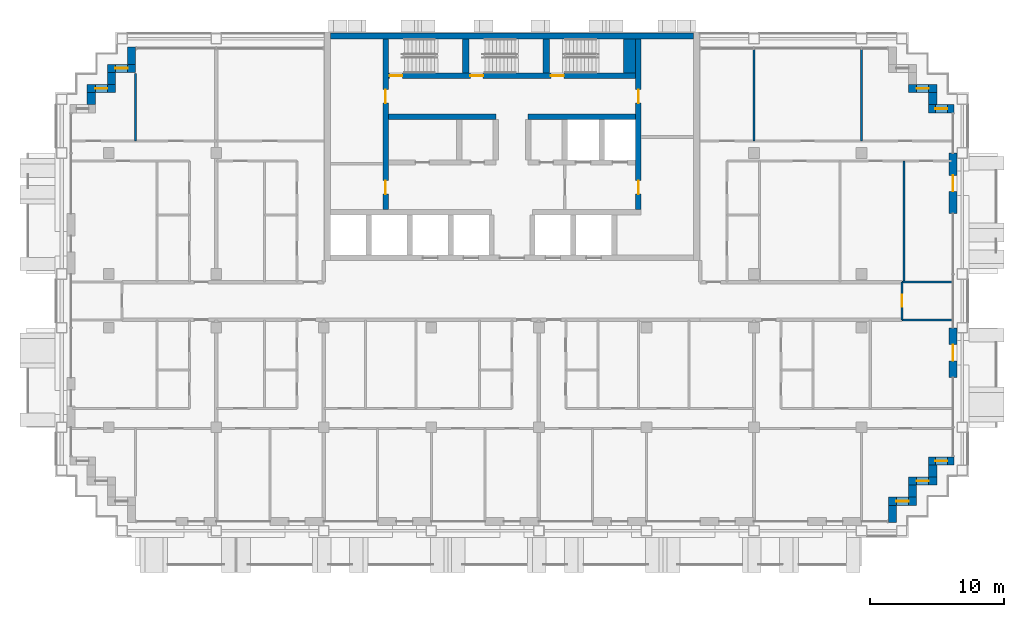
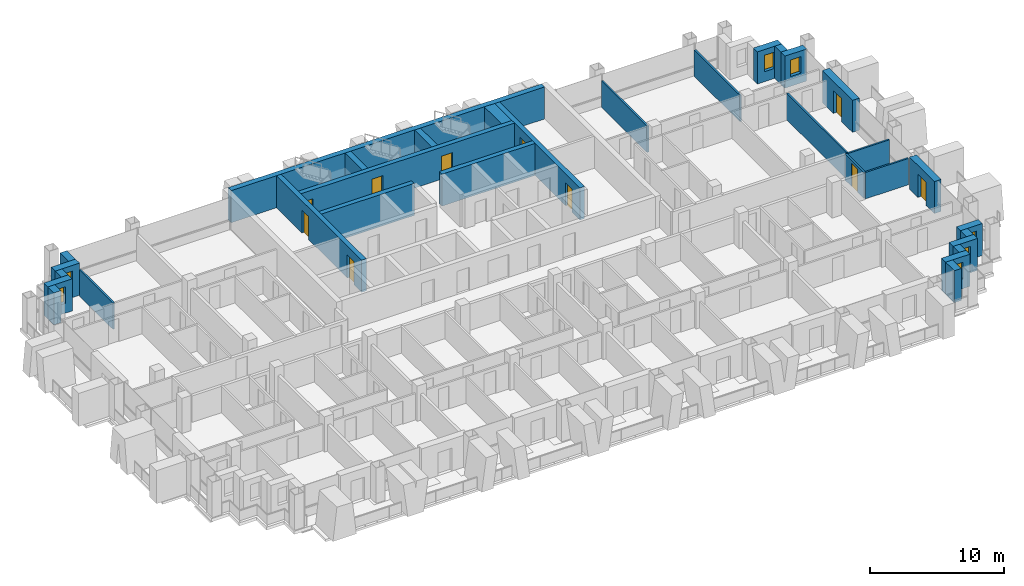
# One storey, part 12 of 18: 32 walls, 10 doors, 7 windows, 17 openings.
"""IFC4 building model written with IfcOpenShell, lengths in metres."""

from ifc_helpers import new_model, si_unit, direction, frame, frame_2d, origin, place, context, subcontext, project, spatial, rectangle, extrude, material, layer, layer_set, type_object, element, fill, save


model = new_model("IFC4")

# Units and contexts
model_context = context("Model", 3, precision=1e-05, world=origin(), true_north=direction((0.0, 1.0)))
body_context = subcontext(model_context, "Body", "Model", "MODEL_VIEW")
ifc_project = project(units=[si_unit("LENGTHUNIT", "METRE"), si_unit("AREAUNIT", "SQUARE_METRE"), si_unit("VOLUMEUNIT", "CUBIC_METRE"), si_unit("PLANEANGLEUNIT", "RADIAN"), si_unit("MASSUNIT", "GRAM", prefix="KILO")], contexts=[model_context])

# Site, building, storey
site_placement = place(None, origin())
site = spatial("IfcSite", under=ifc_project, at=site_placement, CompositionType="ELEMENT")
building_placement = place(site_placement, origin())
building = spatial("IfcBuilding", under=site, at=building_placement, Name="Vidyagriha Tower", CompositionType="ELEMENT")
storey_placement = place(building_placement, frame((0.0, 0.0, 123.0)))
storey = spatial("IfcBuildingStorey", under=building, at=storey_placement, Name="L31", CompositionType="ELEMENT", Elevation=123.0)

# Wall, opening, window
ifc_material_1 = material(Name="Precast concrete C40/50 with brick facing", Category="concrete")
ifc_layer_1 = layer(ifc_material_1, 0.60009765625)
ifc_layer_set_1 = layer_set([ifc_layer_1], Name="Precast concrete C40/50 with brick facing")
wall_type_1 = type_object("IfcWallType", Name="Brick-faced precast wall 600", PredefinedType="STANDARD", material=ifc_layer_set_1)
wall_1_placement = place(storey_placement, frame((32.8798828125, 14.300048828125, 0.0), z_axis=(0.0, 0.0, 1.0), x_axis=(-1.0, 0.0, 0.0)))
wall_1 = element("IfcWall", 1, at=wall_1_placement, inside=storey, type_object=wall_type_1, Name="Stepped corner wall L31 R01", PredefinedType="STANDARD", context=body_context, shape_type="SweptSolid", body=[
    extrude(rectangle(XDim=1.8798828125, YDim=0.60009765625, at=frame_2d((0.93994140625, 0.0))), origin(), (0.0, 0.0, 1.0), 2.919921875),
])
opening_1_placement = place(wall_1_placement, frame((0.489990234375, 0.0, 0.89990234375)))
opening_1 = element("IfcOpeningElement", 2, at=opening_1_placement, cuts=wall_1, Name="Opening WN1", PredefinedType="OPENING", context=body_context, shape_type="SweptSolid", body=[
    extrude(rectangle(XDim=0.89990234375, YDim=1.5, at=frame_2d((0.449951171875, 0.75))), frame((0.0, 0.31005859375, 0.0), z_axis=(0.0, -1.0, 0.0), x_axis=(1.0, 0.0, 0.0)), (0.0, 0.0, 1.0), 0.6201171875),
])
ifc_material_2 = material(Name="Aluminium and glass window", Category="aluminium")
window_type = type_object("IfcWindowType", Name="Reveal window 900x1500", PartitioningType="NOTDEFINED", PredefinedType="WINDOW", material=ifc_material_2)
window_1_placement = place(opening_1_placement, origin())
window_1 = element("IfcWindow", 3, at=window_1_placement, inside=storey, type_object=window_type, Name="Reveal window L31 R01", OverallHeight=1.5, OverallWidth=0.89990234375, PartitioningType="SINGLE_PANEL", PredefinedType="WINDOW", context=body_context, shape_type="SweptSolid", body=[
    extrude(rectangle(XDim=0.89990234375, YDim=1.5, at=frame_2d((0.449951171875, 0.75))), frame((0.0, 0.030029296875, 0.0), z_axis=(0.0, -1.0, 0.0), x_axis=(1.0, 0.0, 0.0)), (0.0, 0.0, 1.0), 0.06005859375),
])
fill(opening_1, window_1)

# Wall
wall_2_placement = place(storey_placement, frame((31.300048828125, 14.60009765625, 0.0), z_axis=(0.0, 0.0, 1.0), x_axis=(0.0, 1.0, 0.0)))
element("IfcWall", 4, at=wall_2_placement, inside=storey, type_object=wall_type_1, Name="Stepped corner wall L31 R02", PredefinedType="STANDARD", context=body_context, shape_type="SweptSolid", body=[
    extrude(rectangle(XDim=0.89990234375, YDim=0.60009765625, at=frame_2d((0.449951171875, 0.0))), origin(), (0.0, 0.0, 1.0), 2.919921875),
])

# Wall, opening, window
wall_3_placement = place(storey_placement, frame((31.60009765625, 15.800048828125, 0.0), z_axis=(0.0, 0.0, 1.0), x_axis=(-1.0, 0.0, 0.0)))
wall_3 = element("IfcWall", 5, at=wall_3_placement, inside=storey, type_object=wall_type_1, Name="Stepped corner wall L31 R03", PredefinedType="STANDARD", context=body_context, shape_type="SweptSolid", body=[
    extrude(rectangle(XDim=2.10009765625, YDim=0.60009765625, at=frame_2d((1.050048828125, 0.0))), origin(), (0.0, 0.0, 1.0), 2.919921875),
])
opening_2_placement = place(wall_3_placement, frame((0.60009765625, 0.0, 0.89990234375)))
opening_2 = element("IfcOpeningElement", 6, at=opening_2_placement, cuts=wall_3, Name="Opening WN1", PredefinedType="OPENING", context=body_context, shape_type="SweptSolid", body=[
    extrude(rectangle(XDim=0.89990234375, YDim=1.5, at=frame_2d((0.449951171875, 0.75))), frame((0.0, 0.31005859375, 0.0), z_axis=(0.0, -1.0, 0.0), x_axis=(1.0, 0.0, 0.0)), (0.0, 0.0, 1.0), 0.6201171875),
])
window_2_placement = place(opening_2_placement, origin())
window_2 = element("IfcWindow", 7, at=window_2_placement, inside=storey, type_object=window_type, Name="Reveal window L31 R03", OverallHeight=1.5, OverallWidth=0.89990234375, PartitioningType="SINGLE_PANEL", PredefinedType="WINDOW", context=body_context, shape_type="SweptSolid", body=[
    extrude(rectangle(XDim=0.89990234375, YDim=1.5, at=frame_2d((0.449951171875, 0.75))), frame((0.0, 0.030029296875, 0.0), z_axis=(0.0, -1.0, 0.0), x_axis=(1.0, 0.0, 0.0)), (0.0, 0.0, 1.0), 0.06005859375),
])
fill(opening_2, window_2)

# Wall
wall_4_placement = place(storey_placement, frame((-28.300048828125, 18.8798828125, 0.0), z_axis=(0.0, 0.0, 1.0), x_axis=(0.0, -1.0, 0.0)))
element("IfcWall", 8, at=wall_4_placement, inside=storey, type_object=wall_type_1, Name="Stepped corner wall L31 R10", PredefinedType="STANDARD", context=body_context, shape_type="SweptSolid", body=[
    extrude(rectangle(XDim=1.27978515625, YDim=0.60009765625, at=frame_2d((0.639892578125, 0.0))), origin(), (0.0, 0.0, 1.0), 2.919921875),
])

# Wall, opening, window
wall_5_placement = place(storey_placement, frame((-28.0, 17.300048828125, 0.0), z_axis=(0.0, 0.0, 1.0), x_axis=(-1.0, 0.0, 0.0)))
wall_5 = element("IfcWall", 9, at=wall_5_placement, inside=storey, type_object=wall_type_1, Name="Stepped corner wall L31 R11", PredefinedType="STANDARD", context=body_context, shape_type="SweptSolid", body=[
    extrude(rectangle(XDim=2.10009765625, YDim=0.60009765625, at=frame_2d((1.050048828125, 0.0))), origin(), (0.0, 0.0, 1.0), 2.919921875),
])
opening_3_placement = place(wall_5_placement, frame((0.60009765625, 0.0, 0.89990234375)))
opening_3 = element("IfcOpeningElement", 10, at=opening_3_placement, cuts=wall_5, Name="Opening WN1", PredefinedType="OPENING", context=body_context, shape_type="SweptSolid", body=[
    extrude(rectangle(XDim=0.89990234375, YDim=1.5, at=frame_2d((0.449951171875, 0.75))), frame((0.0, 0.31005859375, 0.0), z_axis=(0.0, -1.0, 0.0), x_axis=(1.0, 0.0, 0.0)), (0.0, 0.0, 1.0), 0.6201171875),
])
window_3_placement = place(opening_3_placement, origin())
window_3 = element("IfcWindow", 11, at=window_3_placement, inside=storey, type_object=window_type, Name="Reveal window L31 R11", OverallHeight=1.5, OverallWidth=0.89990234375, PartitioningType="SINGLE_PANEL", PredefinedType="WINDOW", context=body_context, shape_type="SweptSolid", body=[
    extrude(rectangle(XDim=0.89990234375, YDim=1.5, at=frame_2d((0.449951171875, 0.75))), frame((0.0, 0.030029296875, 0.0), z_axis=(0.0, -1.0, 0.0), x_axis=(1.0, 0.0, 0.0)), (0.0, 0.0, 1.0), 0.06005859375),
])
fill(opening_3, window_3)

# Wall
wall_6_placement = place(storey_placement, frame((-29.800048828125, 17.0, 0.0), z_axis=(0.0, 0.0, 1.0), x_axis=(0.0, -1.0, 0.0)))
element("IfcWall", 12, at=wall_6_placement, inside=storey, type_object=wall_type_1, Name="Stepped corner wall L31 R12", PredefinedType="STANDARD", context=body_context, shape_type="SweptSolid", body=[
    extrude(rectangle(XDim=0.89990234375, YDim=0.60009765625, at=frame_2d((0.449951171875, 0.0))), origin(), (0.0, 0.0, 1.0), 2.919921875),
])

# Wall, opening, window
wall_7_placement = place(storey_placement, frame((-29.5, 15.800048828125, 0.0), z_axis=(0.0, 0.0, 1.0), x_axis=(-1.0, 0.0, 0.0)))
wall_7 = element("IfcWall", 13, at=wall_7_placement, inside=storey, type_object=wall_type_1, Name="Stepped corner wall L31 R13", PredefinedType="STANDARD", context=body_context, shape_type="SweptSolid", body=[
    extrude(rectangle(XDim=2.10009765625, YDim=0.60009765625, at=frame_2d((1.050048828125, 0.0))), origin(), (0.0, 0.0, 1.0), 2.919921875),
])
opening_4_placement = place(wall_7_placement, frame((0.60009765625, 0.0, 0.89990234375)))
opening_4 = element("IfcOpeningElement", 14, at=opening_4_placement, cuts=wall_7, Name="Opening WN1", PredefinedType="OPENING", context=body_context, shape_type="SweptSolid", body=[
    extrude(rectangle(XDim=0.89990234375, YDim=1.5, at=frame_2d((0.449951171875, 0.75))), frame((0.0, 0.31005859375, 0.0), z_axis=(0.0, -1.0, 0.0), x_axis=(1.0, 0.0, 0.0)), (0.0, 0.0, 1.0), 0.6201171875),
])
window_4_placement = place(opening_4_placement, origin())
window_4 = element("IfcWindow", 15, at=window_4_placement, inside=storey, type_object=window_type, Name="Reveal window L31 R13", OverallHeight=1.5, OverallWidth=0.89990234375, PartitioningType="SINGLE_PANEL", PredefinedType="WINDOW", context=body_context, shape_type="SweptSolid", body=[
    extrude(rectangle(XDim=0.89990234375, YDim=1.5, at=frame_2d((0.449951171875, 0.75))), frame((0.0, 0.030029296875, 0.0), z_axis=(0.0, -1.0, 0.0), x_axis=(1.0, 0.0, 0.0)), (0.0, 0.0, 1.0), 0.06005859375),
])
fill(opening_4, window_4)

# Walls
wall_8_placement = place(storey_placement, frame((-31.300048828125, 15.5, 0.0), z_axis=(0.0, 0.0, 1.0), x_axis=(0.0, -1.0, 0.0)))
element("IfcWall", 16, at=wall_8_placement, inside=storey, type_object=wall_type_1, Name="Stepped corner wall L31 R14", PredefinedType="STANDARD", context=body_context, shape_type="SweptSolid", body=[
    extrude(rectangle(XDim=0.89990234375, YDim=0.60009765625, at=frame_2d((0.449951171875, 0.0))), origin(), (0.0, 0.0, 1.0), 2.919921875),
])
wall_9_placement = place(storey_placement, frame((28.300048828125, -16.47998046875, 0.0), z_axis=(0.0, 0.0, 1.0), x_axis=(0.0, 1.0, 0.0)))
element("IfcWall", 17, at=wall_9_placement, inside=storey, type_object=wall_type_1, Name="Stepped corner wall L31 R24", PredefinedType="STANDARD", context=body_context, shape_type="SweptSolid", body=[
    extrude(rectangle(XDim=1.280029296875, YDim=0.60009765625, at=frame_2d((0.64013671875, 0.0))), origin(), (0.0, 0.0, 1.0), 2.919921875),
])

# Wall, opening, window
wall_10_placement = place(storey_placement, frame((28.0, -14.89990234375, 0.0)))
wall_10 = element("IfcWall", 18, at=wall_10_placement, inside=storey, type_object=wall_type_1, Name="Stepped corner wall L31 R25", PredefinedType="STANDARD", context=body_context, shape_type="SweptSolid", body=[
    extrude(rectangle(XDim=2.10009765625, YDim=0.60009765625, at=frame_2d((1.050048828125, 0.0))), origin(), (0.0, 0.0, 1.0), 2.919921875),
])
opening_5_placement = place(wall_10_placement, frame((0.60009765625, 0.0, 0.89990234375)))
opening_5 = element("IfcOpeningElement", 19, at=opening_5_placement, cuts=wall_10, Name="Opening WN1", PredefinedType="OPENING", context=body_context, shape_type="SweptSolid", body=[
    extrude(rectangle(XDim=0.89990234375, YDim=1.5, at=frame_2d((0.449951171875, 0.75))), frame((0.0, 0.31005859375, 0.0), z_axis=(0.0, -1.0, 0.0), x_axis=(1.0, 0.0, 0.0)), (0.0, 0.0, 1.0), 0.6201171875),
])
window_5_placement = place(opening_5_placement, origin())
window_5 = element("IfcWindow", 20, at=window_5_placement, inside=storey, type_object=window_type, Name="Reveal window L31 R25", OverallHeight=1.5, OverallWidth=0.89990234375, PartitioningType="SINGLE_PANEL", PredefinedType="WINDOW", context=body_context, shape_type="SweptSolid", body=[
    extrude(rectangle(XDim=0.89990234375, YDim=1.5, at=frame_2d((0.449951171875, 0.75))), frame((0.0, 0.030029296875, 0.0), z_axis=(0.0, -1.0, 0.0), x_axis=(1.0, 0.0, 0.0)), (0.0, 0.0, 1.0), 0.06005859375),
])
fill(opening_5, window_5)

# Wall
wall_11_placement = place(storey_placement, frame((29.800048828125, -14.60009765625, 0.0), z_axis=(0.0, 0.0, 1.0), x_axis=(0.0, 1.0, 0.0)))
element("IfcWall", 21, at=wall_11_placement, inside=storey, type_object=wall_type_1, Name="Stepped corner wall L31 R26", PredefinedType="STANDARD", context=body_context, shape_type="SweptSolid", body=[
    extrude(rectangle(XDim=0.900146484375, YDim=0.60009765625, at=frame_2d((0.4501953125, 0.0))), origin(), (0.0, 0.0, 1.0), 2.919921875),
])

# Wall, opening, window
wall_12_placement = place(storey_placement, frame((29.5, -13.39990234375, 0.0)))
wall_12 = element("IfcWall", 22, at=wall_12_placement, inside=storey, type_object=wall_type_1, Name="Stepped corner wall L31 R27", PredefinedType="STANDARD", context=body_context, shape_type="SweptSolid", body=[
    extrude(rectangle(XDim=2.10009765625, YDim=0.60009765625, at=frame_2d((1.050048828125, 0.0))), origin(), (0.0, 0.0, 1.0), 2.919921875),
])
opening_6_placement = place(wall_12_placement, frame((0.60009765625, 0.0, 0.89990234375)))
opening_6 = element("IfcOpeningElement", 23, at=opening_6_placement, cuts=wall_12, Name="Opening WN1", PredefinedType="OPENING", context=body_context, shape_type="SweptSolid", body=[
    extrude(rectangle(XDim=0.89990234375, YDim=1.5, at=frame_2d((0.449951171875, 0.75))), frame((0.0, 0.31005859375, 0.0), z_axis=(0.0, -1.0, 0.0), x_axis=(1.0, 0.0, 0.0)), (0.0, 0.0, 1.0), 0.6201171875),
])
window_6_placement = place(opening_6_placement, origin())
window_6 = element("IfcWindow", 24, at=window_6_placement, inside=storey, type_object=window_type, Name="Reveal window L31 R27", OverallHeight=1.5, OverallWidth=0.89990234375, PartitioningType="SINGLE_PANEL", PredefinedType="WINDOW", context=body_context, shape_type="SweptSolid", body=[
    extrude(rectangle(XDim=0.89990234375, YDim=1.5, at=frame_2d((0.449951171875, 0.75))), frame((0.0, 0.030029296875, 0.0), z_axis=(0.0, -1.0, 0.0), x_axis=(1.0, 0.0, 0.0)), (0.0, 0.0, 1.0), 0.06005859375),
])
fill(opening_6, window_6)

# Wall
wall_13_placement = place(storey_placement, frame((31.300048828125, -13.10009765625, 0.0), z_axis=(0.0, 0.0, 1.0), x_axis=(0.0, 1.0, 0.0)))
element("IfcWall", 25, at=wall_13_placement, inside=storey, type_object=wall_type_1, Name="Stepped corner wall L31 R28", PredefinedType="STANDARD", context=body_context, shape_type="SweptSolid", body=[
    extrude(rectangle(XDim=0.900146484375, YDim=0.60009765625, at=frame_2d((0.4501953125, 0.0))), origin(), (0.0, 0.0, 1.0), 2.919921875),
])

# Wall, opening, window
wall_14_placement = place(storey_placement, frame((31.0, -11.89990234375, 0.0)))
wall_14 = element("IfcWall", 26, at=wall_14_placement, inside=storey, type_object=wall_type_1, Name="Stepped corner wall L31 R29", PredefinedType="STANDARD", context=body_context, shape_type="SweptSolid", body=[
    extrude(rectangle(XDim=1.8798828125, YDim=0.60009765625, at=frame_2d((0.93994140625, 0.0))), origin(), (0.0, 0.0, 1.0), 2.919921875),
])
opening_7_placement = place(wall_14_placement, frame((0.489990234375, 0.0, 0.89990234375)))
opening_7 = element("IfcOpeningElement", 27, at=opening_7_placement, cuts=wall_14, Name="Opening WN1", PredefinedType="OPENING", context=body_context, shape_type="SweptSolid", body=[
    extrude(rectangle(XDim=0.89990234375, YDim=1.5, at=frame_2d((0.449951171875, 0.75))), frame((0.0, 0.31005859375, 0.0), z_axis=(0.0, -1.0, 0.0), x_axis=(1.0, 0.0, 0.0)), (0.0, 0.0, 1.0), 0.6201171875),
])
window_7_placement = place(opening_7_placement, origin())
window_7 = element("IfcWindow", 28, at=window_7_placement, inside=storey, type_object=window_type, Name="Reveal window L31 R29", OverallHeight=1.5, OverallWidth=0.89990234375, PartitioningType="SINGLE_PANEL", PredefinedType="WINDOW", context=body_context, shape_type="SweptSolid", body=[
    extrude(rectangle(XDim=0.89990234375, YDim=1.5, at=frame_2d((0.449951171875, 0.75))), frame((0.0, 0.030029296875, 0.0), z_axis=(0.0, -1.0, 0.0), x_axis=(1.0, 0.0, 0.0)), (0.0, 0.0, 1.0), 0.06005859375),
])
fill(opening_7, window_7)

# Wall, opening, door
wall_15_placement = place(storey_placement, frame((32.800048828125, -5.699951171875, 0.0), z_axis=(0.0, 0.0, 1.0), x_axis=(0.0, 1.0, 0.0)))
wall_15 = element("IfcWall", 29, at=wall_15_placement, inside=storey, type_object=wall_type_1, Name="Brick door bay wall L31 R30.3", PredefinedType="STANDARD", context=body_context, shape_type="SweptSolid", body=[
    extrude(rectangle(XDim=3.699951171875, YDim=0.60009765625, at=frame_2d((1.85009765625, 0.0))), origin(), (0.0, 0.0, 1.0), 2.919921875),
])
opening_8_placement = place(wall_15_placement, frame((1.25, 0.0, 0.0)))
opening_8 = element("IfcOpeningElement", 30, at=opening_8_placement, cuts=wall_15, Name="Opening D31-82", PredefinedType="OPENING", context=body_context, shape_type="SweptSolid", body=[
    extrude(rectangle(XDim=1.199951171875, YDim=2.10009765625, at=frame_2d((0.60009765625, 1.050048828125))), frame((0.0, 0.31005859375, 0.0), z_axis=(0.0, -1.0, 0.0), x_axis=(1.0, 0.0, 0.0)), (0.0, 0.0, 1.0), 0.6201171875),
])
ifc_material_3 = material(Name="Aluminium framed glazed sliding door", Category="aluminium")
door_type_1 = type_object("IfcDoorType", Name="Balcony sliding door 1200x2100", OperationType="NOTDEFINED", PredefinedType="DOOR", material=ifc_material_3)
door_1_placement = place(opening_8_placement, origin())
door_1 = element("IfcDoor", 31, at=door_1_placement, inside=storey, type_object=door_type_1, Name="Door D31-82", OperationType="SLIDING_TO_LEFT", OverallHeight=2.10009765625, OverallWidth=1.199951171875, PredefinedType="DOOR", context=body_context, shape_type="SweptSolid", body=[
    extrude(rectangle(XDim=1.199951171875, YDim=2.10009765625, at=frame_2d((0.60009765625, 1.050048828125))), frame((0.0, 0.02490234375, 0.0), z_axis=(0.0, -1.0, 0.0), x_axis=(1.0, 0.0, 0.0)), (0.0, 0.0, 1.0), 0.050048828125),
])
fill(opening_8, door_1)

wall_16_placement = place(storey_placement, frame((32.800048828125, 6.5, 0.0), z_axis=(0.0, 0.0, 1.0), x_axis=(0.0, 1.0, 0.0)))
wall_16 = element("IfcWall", 32, at=wall_16_placement, inside=storey, type_object=wall_type_1, Name="Brick door bay wall L31 R30.6", PredefinedType="STANDARD", context=body_context, shape_type="SweptSolid", body=[
    extrude(rectangle(XDim=4.5, YDim=0.60009765625, at=frame_2d((2.25, 0.0))), origin(), (0.0, 0.0, 1.0), 2.919921875),
])
opening_9_placement = place(wall_16_placement, frame((1.64990234375, 0.0, 0.0)))
opening_9 = element("IfcOpeningElement", 33, at=opening_9_placement, cuts=wall_16, Name="Opening D31-83", PredefinedType="OPENING", context=body_context, shape_type="SweptSolid", body=[
    extrude(rectangle(XDim=1.199951171875, YDim=2.10009765625, at=frame_2d((0.60009765625, 1.050048828125))), frame((0.0, 0.31005859375, 0.0), z_axis=(0.0, -1.0, 0.0), x_axis=(1.0, 0.0, 0.0)), (0.0, 0.0, 1.0), 0.6201171875),
])
door_2_placement = place(opening_9_placement, origin())
door_2 = element("IfcDoor", 34, at=door_2_placement, inside=storey, type_object=door_type_1, Name="Door D31-83", OperationType="SLIDING_TO_LEFT", OverallHeight=2.10009765625, OverallWidth=1.199951171875, PredefinedType="DOOR", context=body_context, shape_type="SweptSolid", body=[
    extrude(rectangle(XDim=1.199951171875, YDim=2.10009765625, at=frame_2d((0.60009765625, 1.050048828125))), frame((0.0, 0.02490234375, 0.0), z_axis=(0.0, -1.0, 0.0), x_axis=(1.0, 0.0, 0.0)), (0.0, 0.0, 1.0), 0.050048828125),
])
fill(opening_9, door_2)

# Wall, openings, doors
ifc_material_4 = material(Name="Concrete C60/75", Category="concrete")
ifc_layer_2 = layer(ifc_material_4, 0.39990234375)
ifc_layer_set_2 = layer_set([ifc_layer_2], Name="Concrete C60/75")
wall_type_2 = type_object("IfcWallType", Name="Core shear wall 400 mm", PredefinedType="SHEAR", material=ifc_layer_set_2)
wall_17_placement = place(storey_placement, frame((-9.39990234375, 6.800048828125, 0.0), z_axis=(0.0, 0.0, 1.0), x_axis=(0.0, 1.0, 0.0)))
wall_17 = element("IfcWall", 35, at=wall_17_placement, inside=storey, type_object=wall_type_2, Name="Core west spine wall", PredefinedType="SHEAR", context=body_context, shape_type="SweptSolid", body=[
    extrude(rectangle(XDim=12.699951171875, YDim=0.39990234375, at=frame_2d((6.35009765625, 0.0))), origin(), (0.0, 0.0, 1.0), 2.919921875),
])
opening_10_placement = place(wall_17_placement, frame((1.14990234375, 0.0, 0.0)))
opening_10 = element("IfcOpeningElement", 36, at=opening_10_placement, cuts=wall_17, Name="Opening D31-09", PredefinedType="OPENING", context=body_context, shape_type="SweptSolid", body=[
    extrude(rectangle(XDim=1.0, YDim=2.10009765625, at=frame_2d((0.5, 1.050048828125))), frame((0.0, 0.2099609375, 0.0), z_axis=(0.0, -1.0, 0.0), x_axis=(1.0, 0.0, 0.0)), (0.0, 0.0, 1.0), 0.419921875),
])
opening_11_placement = place(wall_17_placement, frame((7.925048828125, 0.0, 0.0)))
opening_11 = element("IfcOpeningElement", 37, at=opening_11_placement, cuts=wall_17, Name="Opening D31-10", PredefinedType="OPENING", context=body_context, shape_type="SweptSolid", body=[
    extrude(rectangle(XDim=1.0, YDim=2.10009765625, at=frame_2d((0.5, 1.050048828125))), frame((0.0, 0.2099609375, 0.0), z_axis=(0.0, -1.0, 0.0), x_axis=(1.0, 0.0, 0.0)), (0.0, 0.0, 1.0), 0.419921875),
])
ifc_material_5 = material(Name="Hollow metal door leaf")
door_type_2 = type_object("IfcDoorType", Name="Core room door 1000 x 2100 mm EI 60", OperationType="NOTDEFINED", PredefinedType="DOOR", material=ifc_material_5)
door_3_placement = place(opening_10_placement, frame((1.0, 0.0, 0.0), z_axis=(0.0, 0.0, 1.0), x_axis=(-1.0, 0.0, 0.0)))
door_3 = element("IfcDoor", 38, at=door_3_placement, inside=storey, type_object=door_type_2, Name="Door Switchgear Room 31.W1", OperationType="SINGLE_SWING_RIGHT", OverallHeight=2.10009765625, OverallWidth=1.0, PredefinedType="DOOR", context=body_context, shape_type="SweptSolid", body=[
    extrude(rectangle(XDim=1.0, YDim=2.10009765625, at=frame_2d((0.5, 1.050048828125))), frame((0.0, 0.02490234375, 0.0), z_axis=(0.0, -1.0, 0.0), x_axis=(1.0, 0.0, 0.0)), (0.0, 0.0, 1.0), 0.050048828125),
])
fill(opening_10, door_3)
door_4_placement = place(opening_11_placement, frame((1.0, 0.0, 0.0), z_axis=(0.0, 0.0, 1.0), x_axis=(-1.0, 0.0, 0.0)))
door_4 = element("IfcDoor", 39, at=door_4_placement, inside=storey, type_object=door_type_2, Name="Door Electrical Room 31.W2", OperationType="SINGLE_SWING_LEFT", OverallHeight=2.10009765625, OverallWidth=1.0, PredefinedType="DOOR", context=body_context, shape_type="SweptSolid", body=[
    extrude(rectangle(XDim=1.0, YDim=2.10009765625, at=frame_2d((0.5, 1.050048828125))), frame((0.0, 0.02490234375, 0.0), z_axis=(0.0, -1.0, 0.0), x_axis=(1.0, 0.0, 0.0)), (0.0, 0.0, 1.0), 0.050048828125),
])
fill(opening_11, door_4)

wall_18_placement = place(storey_placement, frame((9.39990234375, 6.800048828125, 0.0), z_axis=(0.0, 0.0, 1.0), x_axis=(0.0, 1.0, 0.0)))
wall_18 = element("IfcWall", 40, at=wall_18_placement, inside=storey, type_object=wall_type_2, Name="Core east spine wall", PredefinedType="SHEAR", context=body_context, shape_type="SweptSolid", body=[
    extrude(rectangle(XDim=12.699951171875, YDim=0.39990234375, at=frame_2d((6.35009765625, 0.0))), origin(), (0.0, 0.0, 1.0), 2.919921875),
])
opening_12_placement = place(wall_18_placement, frame((1.14990234375, 0.0, 0.0)))
opening_12 = element("IfcOpeningElement", 41, at=opening_12_placement, cuts=wall_18, Name="Opening D31-11", PredefinedType="OPENING", context=body_context, shape_type="SweptSolid", body=[
    extrude(rectangle(XDim=1.0, YDim=2.10009765625, at=frame_2d((0.5, 1.050048828125))), frame((0.0, 0.2099609375, 0.0), z_axis=(0.0, -1.0, 0.0), x_axis=(1.0, 0.0, 0.0)), (0.0, 0.0, 1.0), 0.419921875),
])
opening_13_placement = place(wall_18_placement, frame((7.925048828125, 0.0, 0.0)))
opening_13 = element("IfcOpeningElement", 42, at=opening_13_placement, cuts=wall_18, Name="Opening D31-12", PredefinedType="OPENING", context=body_context, shape_type="SweptSolid", body=[
    extrude(rectangle(XDim=1.0, YDim=2.10009765625, at=frame_2d((0.5, 1.050048828125))), frame((0.0, 0.2099609375, 0.0), z_axis=(0.0, -1.0, 0.0), x_axis=(1.0, 0.0, 0.0)), (0.0, 0.0, 1.0), 0.419921875),
])
door_5_placement = place(opening_12_placement, origin())
door_5 = element("IfcDoor", 43, at=door_5_placement, inside=storey, type_object=door_type_2, Name="Door Storage Room 31.E1", OperationType="SINGLE_SWING_RIGHT", OverallHeight=2.10009765625, OverallWidth=1.0, PredefinedType="DOOR", context=body_context, shape_type="SweptSolid", body=[
    extrude(rectangle(XDim=1.0, YDim=2.10009765625, at=frame_2d((0.5, 1.050048828125))), frame((0.0, 0.02490234375, 0.0), z_axis=(0.0, -1.0, 0.0), x_axis=(1.0, 0.0, 0.0)), (0.0, 0.0, 1.0), 0.050048828125),
])
fill(opening_12, door_5)
door_6_placement = place(opening_13_placement, origin())
door_6 = element("IfcDoor", 44, at=door_6_placement, inside=storey, type_object=door_type_2, Name="Door Cleaners Store 31.E2", OperationType="SINGLE_SWING_LEFT", OverallHeight=2.10009765625, OverallWidth=1.0, PredefinedType="DOOR", context=body_context, shape_type="SweptSolid", body=[
    extrude(rectangle(XDim=1.0, YDim=2.10009765625, at=frame_2d((0.5, 1.050048828125))), frame((0.0, 0.02490234375, 0.0), z_axis=(0.0, -1.0, 0.0), x_axis=(1.0, 0.0, 0.0)), (0.0, 0.0, 1.0), 0.050048828125),
])
fill(opening_13, door_6)

# Walls
for number, where, name in (
    (45, (-9.199951171875, 13.699951171875, 0.0), "Core row N rear wall"),
    (46, (1.199951171875, 13.699951171875, 0.0), "Core row N rear wall"),
):
    element("IfcWall", number, at=place(storey_placement, frame(where)), inside=storey, type_object=wall_type_2, Name=name, PredefinedType="SHEAR", context=body_context, shape_type="SweptSolid", body=[
        extrude(rectangle(XDim=8.0, YDim=0.39990234375, at=frame_2d((4.0, 0.0))), origin(), (0.0, 0.0, 1.0), 2.919921875),
    ])

# Wall, openings, doors
wall_19_placement = place(storey_placement, frame((-9.199951171875, 16.75, 0.0)))
wall_19 = element("IfcWall", 47, at=wall_19_placement, inside=storey, type_object=wall_type_2, Name="Stair front wall", PredefinedType="SHEAR", context=body_context, shape_type="SweptSolid", body=[
    extrude(rectangle(XDim=18.39990234375, YDim=0.39990234375, at=frame_2d((9.199951171875, 0.0))), origin(), (0.0, 0.0, 1.0), 2.919921875),
])
opening_14_placement = place(wall_19_placement, frame((0.10009765625, 0.0, 0.0)))
opening_14 = element("IfcOpeningElement", 48, at=opening_14_placement, cuts=wall_19, Name="Opening D31-06", PredefinedType="OPENING", context=body_context, shape_type="SweptSolid", body=[
    extrude(rectangle(XDim=0.949951171875, YDim=2.10009765625, at=frame_2d((0.47509765625, 1.050048828125))), frame((0.0, 0.2099609375, 0.0), z_axis=(0.0, -1.0, 0.0), x_axis=(1.0, 0.0, 0.0)), (0.0, 0.0, 1.0), 0.419921875),
])
opening_15_placement = place(wall_19_placement, frame((6.10009765625, 0.0, 0.0)))
opening_15 = element("IfcOpeningElement", 49, at=opening_15_placement, cuts=wall_19, Name="Opening D31-07", PredefinedType="OPENING", context=body_context, shape_type="SweptSolid", body=[
    extrude(rectangle(XDim=0.949951171875, YDim=2.10009765625, at=frame_2d((0.47509765625, 1.050048828125))), frame((0.0, 0.2099609375, 0.0), z_axis=(0.0, -1.0, 0.0), x_axis=(1.0, 0.0, 0.0)), (0.0, 0.0, 1.0), 0.419921875),
])
opening_16_placement = place(wall_19_placement, frame((12.10009765625, 0.0, 0.0)))
opening_16 = element("IfcOpeningElement", 50, at=opening_16_placement, cuts=wall_19, Name="Opening D31-08", PredefinedType="OPENING", context=body_context, shape_type="SweptSolid", body=[
    extrude(rectangle(XDim=0.949951171875, YDim=2.10009765625, at=frame_2d((0.47509765625, 1.050048828125))), frame((0.0, 0.2099609375, 0.0), z_axis=(0.0, -1.0, 0.0), x_axis=(1.0, 0.0, 0.0)), (0.0, 0.0, 1.0), 0.419921875),
])
ifc_material_6 = material(Name="Hollow metal door leaf")
door_type_3 = type_object("IfcDoorType", Name="Exit stair door 950 x 2100 mm EI 90", OperationType="NOTDEFINED", PredefinedType="DOOR", material=ifc_material_6)
door_7_placement = place(opening_14_placement, origin())
door_7 = element("IfcDoor", 51, at=door_7_placement, inside=storey, type_object=door_type_3, Name="Stair door ST1 L31", OperationType="SINGLE_SWING_LEFT", OverallHeight=2.10009765625, OverallWidth=0.949951171875, PredefinedType="DOOR", context=body_context, shape_type="SweptSolid", body=[
    extrude(rectangle(XDim=0.949951171875, YDim=2.10009765625, at=frame_2d((0.47509765625, 1.050048828125))), frame((0.0, 0.02490234375, 0.0), z_axis=(0.0, -1.0, 0.0), x_axis=(1.0, 0.0, 0.0)), (0.0, 0.0, 1.0), 0.050048828125),
])
fill(opening_14, door_7)
door_8_placement = place(opening_15_placement, origin())
door_8 = element("IfcDoor", 52, at=door_8_placement, inside=storey, type_object=door_type_3, Name="Stair door ST2 L31", OperationType="SINGLE_SWING_LEFT", OverallHeight=2.10009765625, OverallWidth=0.949951171875, PredefinedType="DOOR", context=body_context, shape_type="SweptSolid", body=[
    extrude(rectangle(XDim=0.949951171875, YDim=2.10009765625, at=frame_2d((0.47509765625, 1.050048828125))), frame((0.0, 0.02490234375, 0.0), z_axis=(0.0, -1.0, 0.0), x_axis=(1.0, 0.0, 0.0)), (0.0, 0.0, 1.0), 0.050048828125),
])
fill(opening_15, door_8)
door_9_placement = place(opening_16_placement, origin())
door_9 = element("IfcDoor", 53, at=door_9_placement, inside=storey, type_object=door_type_3, Name="Stair door ST3 L31", OperationType="SINGLE_SWING_LEFT", OverallHeight=2.10009765625, OverallWidth=0.949951171875, PredefinedType="DOOR", context=body_context, shape_type="SweptSolid", body=[
    extrude(rectangle(XDim=0.949951171875, YDim=2.10009765625, at=frame_2d((0.47509765625, 1.050048828125))), frame((0.0, 0.02490234375, 0.0), z_axis=(0.0, -1.0, 0.0), x_axis=(1.0, 0.0, 0.0)), (0.0, 0.0, 1.0), 0.050048828125),
])
fill(opening_16, door_9)

# Walls
ifc_material_7 = material(Name="Concrete C60/75", Category="concrete")
ifc_layer_3 = layer(ifc_material_7, 0.449951171875)
ifc_layer_set_3 = layer_set([ifc_layer_3], Name="Concrete C60/75")
wall_type_3 = type_object("IfcWallType", Name="Core shear wall 450 mm", PredefinedType="SHEAR", material=ifc_layer_set_3)
wall_20_placement = place(storey_placement, frame((-13.5, 19.72509765625, 0.0)))
element("IfcWall", 54, at=wall_20_placement, inside=storey, type_object=wall_type_3, Name="Core north wall", PredefinedType="SHEAR", context=body_context, shape_type="SweptSolid", body=[
    extrude(rectangle(XDim=27.0, YDim=0.449951171875, at=frame_2d((13.5, 0.0))), origin(), (0.0, 0.0, 1.0), 2.919921875),
])
ifc_material_8 = material(Name="Concrete C60/75", Category="concrete")
ifc_layer_4 = layer(ifc_material_8, 0.5)
ifc_layer_set_4 = layer_set([ifc_layer_4], Name="Concrete C60/75")
wall_type_4 = type_object("IfcWallType", Name="Core shear wall 500 mm", PredefinedType="SHEAR", material=ifc_layer_set_4)
for number, where, z_axis, x_axis, name in (
    (55, (-3.449951171875, 16.949951171875, 0.0), (0.0, 0.0, 1.0), (0.0, 1.0, 0.0), "Stair partition wall 1"),
    (56, (2.550048828125, 16.949951171875, 0.0), (0.0, 0.0, 1.0), (0.0, 1.0, 0.0), "Stair partition wall 2"),
):
    element("IfcWall", number, at=place(storey_placement, frame(where, z_axis=z_axis, x_axis=x_axis)), inside=storey, type_object=wall_type_4, Name=name, PredefinedType="SHEAR", context=body_context, shape_type="SweptSolid", body=[
        extrude(rectangle(XDim=2.550048828125, YDim=0.5, at=frame_2d((1.27490234375, 0.0))), origin(), (0.0, 0.0, 1.0), 2.919921875),
    ])
ifc_material_9 = material(Name="Concrete C60/75", Category="concrete")
ifc_layer_5 = layer(ifc_material_9, 0.89990234375)
ifc_layer_set_5 = layer_set([ifc_layer_5], Name="Concrete C60/75")
wall_type_5 = type_object("IfcWallType", Name="Core shear wall 900 mm", PredefinedType="SHEAR", material=ifc_layer_set_5)
wall_21_placement = place(storey_placement, frame((8.75, 16.949951171875, 0.0), z_axis=(0.0, 0.0, 1.0), x_axis=(0.0, 1.0, 0.0)))
element("IfcWall", 57, at=wall_21_placement, inside=storey, type_object=wall_type_5, Name="Stair end wall", PredefinedType="SHEAR", context=body_context, shape_type="SweptSolid", body=[
    extrude(rectangle(XDim=2.550048828125, YDim=0.89990234375, at=frame_2d((1.27490234375, 0.0))), origin(), (0.0, 0.0, 1.0), 2.919921875),
])
ifc_material_10 = material(Name="Gypsum board partition")
ifc_layer_6 = layer(ifc_material_10, 0.14990234375)
ifc_layer_set_6 = layer_set([ifc_layer_6], Name="Gypsum board partition")
wall_type_6 = type_object("IfcWallType", Name="Gypsum board partition 150", PredefinedType="PARTITIONING", material=ifc_layer_set_6)
wall_22_placement = place(storey_placement, frame((32.719970703125, -1.39990234375, 0.0), z_axis=(0.0, 0.0, 1.0), x_axis=(-1.0, 0.0, 0.0)))
element("IfcWall", 58, at=wall_22_placement, inside=storey, type_object=wall_type_6, Name="Wall all-L31-w084", PredefinedType="PARTITIONING", context=body_context, shape_type="SweptSolid", body=[
    extrude(rectangle(XDim=3.719970703125, YDim=0.14990234375, at=frame_2d((1.85986328125, 0.0))), origin(), (0.0, 0.0, 1.0), 2.39990234375),
])
wall_23_placement = place(storey_placement, frame((-28.0, 16.919921875, 0.0), z_axis=(0.0, 0.0, 1.0), x_axis=(0.0, -1.0, 0.0)))
element("IfcWall", 59, at=wall_23_placement, inside=storey, type_object=wall_type_6, Name="Wall all-L31-w095", PredefinedType="PARTITIONING", context=body_context, shape_type="SweptSolid", body=[
    extrude(rectangle(XDim=5.02001953125, YDim=0.14990234375, at=frame_2d((2.510009765625, 0.0))), origin(), (0.0, 0.0, 1.0), 2.39990234375),
])
wall_24_placement = place(storey_placement, frame((29.14990234375, 10.39990234375, 0.0), z_axis=(0.0, 0.0, 1.0), x_axis=(0.0, -1.0, 0.0)))
element("IfcWall", 60, at=wall_24_placement, inside=storey, type_object=wall_type_6, Name="Wall all-L31-w116", PredefinedType="PARTITIONING", context=body_context, shape_type="SweptSolid", body=[
    extrude(rectangle(XDim=9.0, YDim=0.14990234375, at=frame_2d((4.5, 0.0))), origin(), (0.0, 0.0, 1.0), 2.39990234375),
])
for number, where, z_axis, x_axis, name in (
    (61, (18.0, 18.720947265625, 0.0), (0.0, 0.0, 1.0), (0.0, -1.0, 0.0), "Wall all-L31-w125"),
    (62, (26.0, 18.720947265625, 0.0), (0.0, 0.0, 1.0), (0.0, -1.0, 0.0), "Wall all-L31-w126"),
):
    element("IfcWall", number, at=place(storey_placement, frame(where, z_axis=z_axis, x_axis=x_axis)), inside=storey, type_object=wall_type_6, Name=name, PredefinedType="PARTITIONING", context=body_context, shape_type="SweptSolid", body=[
        extrude(rectangle(XDim=6.821044921875, YDim=0.14990234375, at=frame_2d((3.41064453125, 0.0))), origin(), (0.0, 0.0, 1.0), 2.39990234375),
    ])
wall_25_placement = place(storey_placement, frame((29.0, 1.39990234375, 0.0)))
element("IfcWall", 63, at=wall_25_placement, inside=storey, type_object=wall_type_6, Name="Wall all-L31-w129", PredefinedType="PARTITIONING", context=body_context, shape_type="SweptSolid", body=[
    extrude(rectangle(XDim=3.719970703125, YDim=0.14990234375, at=frame_2d((1.85986328125, 0.0))), origin(), (0.0, 0.0, 1.0), 2.39990234375),
])

# Wall, opening, door
wall_26_placement = place(storey_placement, frame((29.0, -1.39990234375, 0.0), z_axis=(0.0, 0.0, 1.0), x_axis=(0.0, 1.0, 0.0)))
wall_26 = element("IfcWall", 64, at=wall_26_placement, inside=storey, type_object=wall_type_6, Name="Wall all-L31-w132", PredefinedType="PARTITIONING", context=body_context, shape_type="SweptSolid", body=[
    extrude(rectangle(XDim=2.7998046875, YDim=0.14990234375, at=frame_2d((1.39990234375, 0.0))), origin(), (0.0, 0.0, 1.0), 2.39990234375),
])
opening_17_placement = place(wall_26_placement, frame((0.949951171875, 0.0, 0.0)))
opening_17 = element("IfcOpeningElement", 65, at=opening_17_placement, cuts=wall_26, Name="Opening D31-72", PredefinedType="OPENING", context=body_context, shape_type="SweptSolid", body=[
    extrude(rectangle(XDim=0.89990234375, YDim=2.10009765625, at=frame_2d((0.449951171875, 1.050048828125))), frame((0.0, 0.0849609375, 0.0), z_axis=(0.0, -1.0, 0.0), x_axis=(1.0, 0.0, 0.0)), (0.0, 0.0, 1.0), 0.169921875),
])
ifc_material_11 = material(Name="Timber door leaf", Category="wood")
door_type_4 = type_object("IfcDoorType", Name="Room door 900x2100", OperationType="NOTDEFINED", PredefinedType="DOOR", material=ifc_material_11)
door_10_placement = place(opening_17_placement, origin())
door_10 = element("IfcDoor", 66, at=door_10_placement, inside=storey, type_object=door_type_4, Name="Door D31-72", OperationType="SINGLE_SWING_RIGHT", OverallHeight=2.10009765625, OverallWidth=0.89990234375, PredefinedType="DOOR", context=body_context, shape_type="SweptSolid", body=[
    extrude(rectangle(XDim=0.89990234375, YDim=2.10009765625, at=frame_2d((0.449951171875, 1.050048828125))), frame((0.0, 0.02490234375, 0.0), z_axis=(0.0, -1.0, 0.0), x_axis=(1.0, 0.0, 0.0)), (0.0, 0.0, 1.0), 0.050048828125),
])
fill(opening_17, door_10)

save(model, "model.ifc")
